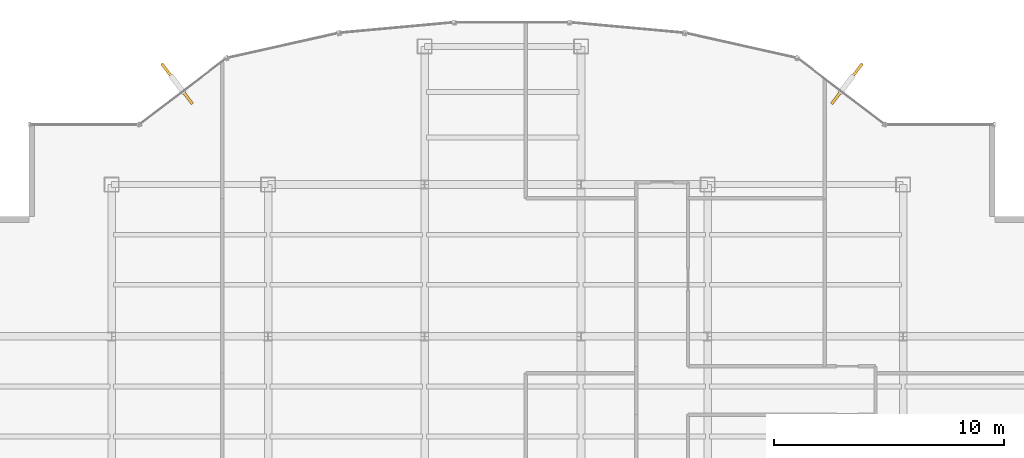
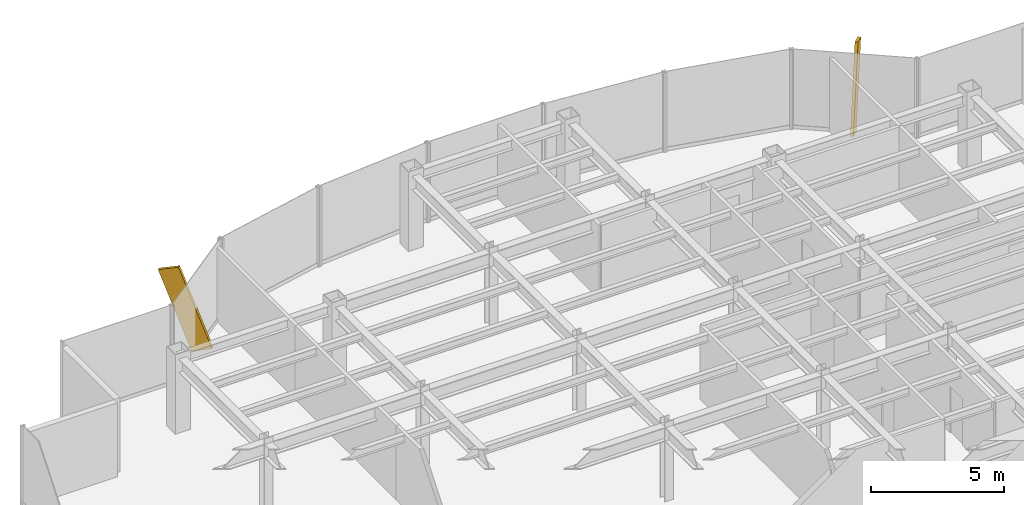
# One storey, part 24 of 25: 2 shading devices.
"""IFC4 building model written with IfcOpenShell, lengths in metres."""

from ifc_helpers import new_model, si_unit, derived_unit, direction, frame, origin, origin_2d, place, context, subcontext, project, spatial, rectangle, extrude, source, transform, mapped, material, type_object, element, save


model = new_model("IFC4")

# Units and contexts
model_context = context("Model", 3, precision=1e-05, world=origin(), true_north=direction((0.0, 1.0)))
body_context = subcontext(model_context, "Body", "Model", "MODEL_VIEW")
ifc_project = project(units=[si_unit("LENGTHUNIT", "METRE"), si_unit("AREAUNIT", "SQUARE_METRE"), si_unit("VOLUMEUNIT", "CUBIC_METRE"), si_unit("PLANEANGLEUNIT", "RADIAN"), si_unit("MASSUNIT", "GRAM", prefix="KILO"), derived_unit("THERMALTRANSMITTANCEUNIT", [(si_unit("POWERUNIT", "WATT"), 1), (si_unit("LENGTHUNIT", "METRE"), -2), (si_unit("THERMODYNAMICTEMPERATUREUNIT", "KELVIN"), -1)])], contexts=[model_context])

# Site, building, storey
site_placement = place(None, origin())
site = spatial("IfcSite", under=ifc_project, at=site_placement, CompositionType="ELEMENT")
building_placement = place(site_placement, origin())
building = spatial("IfcBuilding", under=site, at=building_placement, Name="Skarnbrae Concourse Arena and Tower", CompositionType="ELEMENT")
storey_placement = place(building_placement, frame((0.0, 0.0, 151.550048828125)))
storey = spatial("IfcBuildingStorey", under=building, at=storey_placement, Name="L38", CompositionType="ELEMENT", Elevation=151.550048828125)

# Shading devices
ifc_material = material(Name="Bronze anodised aluminium 6063-T6", Category="aluminium")
shading_device_type = type_object("IfcShadingDeviceType", Name="SHD-BRONZE-FIN-900", PredefinedType="USERDEFINED", material=ifc_material)
shared_shape = source(origin(), body_context, "Body", "SweptSolid", [
    extrude(rectangle(XDim=0.1201171875, YDim=0.89990234375, at=origin_2d()), origin(), (0.0, 0.0, 1.0), 3.64990234375),
])
for number, where, z_axis, x_axis, name in (
    (1, (39.14453125, 38.236572265625, 0.133056640625), (0.227360181444, 0.297924001033, 0.927118459261), (0.794954941871, -0.606668476513, 0.0), "L38 Outward-leaning bronze shading fin 08"),
    (2, (10.85546875, 38.236572265625, 0.133056640625), (-0.227360181444, 0.297924001033, 0.927118459261), (0.794954941871, 0.606668476513, 0.0), "L38 Outward-leaning bronze shading fin 14"),
):
    element("IfcShadingDevice", number, at=place(storey_placement, frame(where, z_axis=z_axis, x_axis=x_axis)), inside=storey, type_object=shading_device_type, Name=name, ObjectType="FIN", PredefinedType="USERDEFINED", context=body_context, shape_type="MappedRepresentation", body=[
        mapped(shared_shape, transform((0.0, 0.0, 0.0))),
    ])

save(model, "model.ifc")
